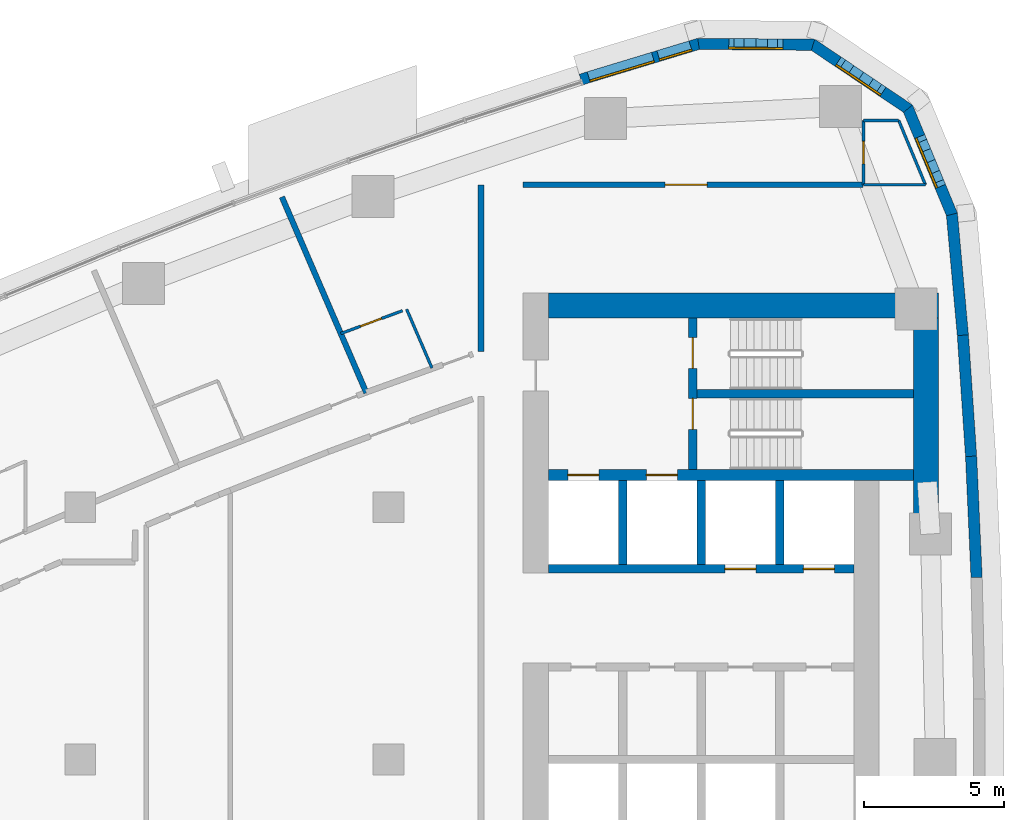
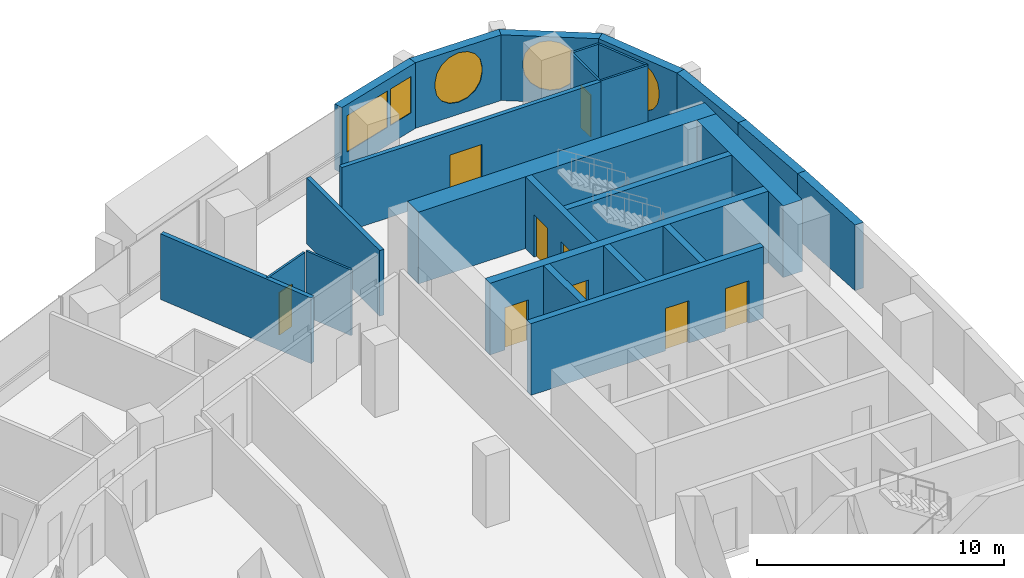
# One storey, part 12 of 17: 25 walls, 9 doors, 5 windows, 14 openings.
"""IFC4 building model written with IfcOpenShell, lengths in metres."""

import ifcopenshell
import ifcopenshell.guid

model = None  # the IFC model being written
_history = None  # IfcOwnerHistory: only IFC2X3 demands one
_inside = {}  # id of a spatial element -> (the spatial element, [elements in it])
_under = {}  # id of a project, library or spatial element -> (it, [spatial elements below it])
_declared = {}  # id of a project -> (the project, [libraries it declares])
_typed = {}  # id of a type object -> (the type object, [elements of that type])
_made_of = {}  # id of a material, layer set ... -> (it, [elements and type objects made of it])


def new_model(schema):
    """Start an empty IFC model of exactly this schema.

    Asked for "IFC4X3", IfcOpenShell would pick the latest addendum, in which some entities
    have other attributes; the version numbers below select the first issue.
    IFC2X3 requires an IfcOwnerHistory on every rooted entity: one is made here for all.
    """
    global model, _history
    if schema == "IFC4X3":
        model = ifcopenshell.file(schema_version=(4, 3, 0, 0))
    else:
        model = ifcopenshell.file(schema=schema)
    _inside.clear()
    _under.clear()
    _declared.clear()
    _typed.clear()
    _made_of.clear()
    _history = None
    if model.schema == "IFC2X3":
        org = make("IfcOrganization", Name="unknown")
        user = make(
            "IfcPersonAndOrganization",
            ThePerson=make("IfcPerson", FamilyName="unknown"),
            TheOrganization=org,
        )
        app = make(
            "IfcApplication",
            ApplicationDeveloper=org,
            Version="unknown",
            ApplicationFullName="unknown",
            ApplicationIdentifier="unknown",
        )
        _history = make(
            "IfcOwnerHistory",
            OwningUser=user,
            OwningApplication=app,
            ChangeAction="ADDED",
            CreationDate=0,
        )
    return model


def make(cls, **values):
    """One entity of the class cls with the attributes given. An attribute that is None is left unset."""
    return model.create_entity(
        cls, **{name: value for name, value in values.items() if value is not None}
    )


def rooted(cls, **values):
    """An entity with a GlobalId (a new one), such as an element, a storey or a relation."""
    return make(cls, GlobalId=ifcopenshell.guid.new(), OwnerHistory=_history, **values)


def si_unit(unit_type, name, prefix=None):
    """IfcSIUnit, for example si_unit("LENGTHUNIT", "METRE", prefix="MILLI")."""
    return make("IfcSIUnit", UnitType=unit_type, Prefix=prefix, Name=name)


def assignment(units):
    """IfcUnitAssignment: the units of a project."""
    return None if units is None else make("IfcUnitAssignment", Units=units)


def point(xyz):
    """IfcCartesianPoint."""
    return None if xyz is None else make("IfcCartesianPoint", Coordinates=xyz)


def direction(xyz):
    """IfcDirection."""
    return None if xyz is None else make("IfcDirection", DirectionRatios=xyz)


def frame(location, z_axis=None, x_axis=None):
    """IfcAxis2Placement3D, a coordinate frame: its origin and axes. An axis left out is left unset."""
    return make(
        "IfcAxis2Placement3D",
        Location=point(location),
        Axis=direction(z_axis),
        RefDirection=direction(x_axis),
    )


def frame_2d(location, x_axis=None):
    """IfcAxis2Placement2D, a coordinate frame in the plane: its origin and x axis."""
    return make(
        "IfcAxis2Placement2D", Location=point(location), RefDirection=direction(x_axis)
    )


def origin():
    """The frame at (0, 0, 0) with its axes left unset."""
    return frame((0.0, 0.0, 0.0))


def place(relative_to, where):
    """IfcLocalPlacement: puts the frame where relative to a parent placement (None: the world)."""
    return make(
        "IfcLocalPlacement", PlacementRelTo=relative_to, RelativePlacement=where
    )


def context(
    kind, dimensions, precision=None, world=None, true_north=None, identifier=None
):
    """IfcGeometricRepresentationContext, for example the 3D "Model" context."""
    return make(
        "IfcGeometricRepresentationContext",
        ContextIdentifier=identifier,
        ContextType=kind,
        CoordinateSpaceDimension=dimensions,
        Precision=precision,
        WorldCoordinateSystem=world,
        TrueNorth=true_north,
    )


def subcontext(parent, identifier, kind, view, scale=None):
    """IfcGeometricRepresentationSubContext, for example "Body" below "Model"."""
    return make(
        "IfcGeometricRepresentationSubContext",
        ContextIdentifier=identifier,
        ContextType=kind,
        ParentContext=parent,
        TargetScale=scale,
        TargetView=view,
    )


def project(units=None, contexts=None):
    """IfcProject with its units and contexts."""
    return rooted(
        "IfcProject",
        Name="project",
        RepresentationContexts=contexts,
        UnitsInContext=assignment(units),
    )


def spatial(cls, under=None, at=None, **own):
    """A site, building, storey or space (cls), placed at a placement, below another one or the project."""
    s = rooted(cls, ObjectPlacement=at, **own)
    if under is not None:
        _under.setdefault(under.id(), (under, []))[1].append(s)
    return s


def polyline(points):
    """IfcPolyline through the points."""
    return make("IfcPolyline", Points=[point(p) for p in points])


def profile(cls, at=None, kind="AREA", **sizes):
    """A parametric profile (cls). Its sizes go by their IFC names, for example OverallWidth=200.0."""
    return make(cls, ProfileType=kind, Position=at, **sizes)


def rectangle(**sizes):
    """IfcRectangleProfileDef."""
    return profile("IfcRectangleProfileDef", **sizes)


def outline(outer, holes=None, kind="AREA"):
    """IfcArbitraryClosedProfileDef: a profile drawn as a closed curve; with holes, ...WithVoids."""
    if holes is None:
        return make("IfcArbitraryClosedProfileDef", ProfileType=kind, OuterCurve=outer)
    return make(
        "IfcArbitraryProfileDefWithVoids",
        ProfileType=kind,
        OuterCurve=outer,
        InnerCurves=holes,
    )


def extrude(swept, where, along, depth):
    """IfcExtrudedAreaSolid: the profile swept, set in the frame where, extruded along a direction by depth."""
    return make(
        "IfcExtrudedAreaSolid",
        SweptArea=swept,
        Position=where,
        ExtrudedDirection=direction(along),
        Depth=depth,
    )


def shape(context_of_items, identifier, shape_type, items):
    """IfcShapeRepresentation: the items that make up one representation, for example the "Body"."""
    return make(
        "IfcShapeRepresentation",
        ContextOfItems=context_of_items,
        RepresentationIdentifier=identifier,
        RepresentationType=shape_type,
        Items=items,
    )


def material(Name=None, Category=None):
    """IfcMaterial."""
    return make("IfcMaterial", Name=Name, Category=Category)


def layer(
    of_material, thickness, ventilated=None, Name=None, Category=None, Priority=None
):
    """IfcMaterialLayer: one layer of a wall or slab, of a material (None: an air gap)."""
    return make(
        "IfcMaterialLayer",
        Material=of_material,
        LayerThickness=thickness,
        IsVentilated=ventilated,
        Name=Name,
        Category=Category,
        Priority=Priority,
    )


def layer_set(layers, Name=None):
    """IfcMaterialLayerSet."""
    return make("IfcMaterialLayerSet", MaterialLayers=layers, LayerSetName=Name)


def made_of(thing, what):
    """Note that an element or type object is made of a material, layer set ...; save() writes the relation."""
    if what is not None:
        _made_of.setdefault(what.id(), (what, []))[1].append(thing)
    return thing


def type_object(cls, material=None, **own):
    """A type object (cls), such as IfcWallType, which elements share."""
    return made_of(rooted(cls, **own), material)


def element(
    cls,
    number,
    at=None,
    inside=None,
    cuts=None,
    type_object=None,
    material=None,
    context=None,
    identifier="Body",
    shape_type=None,
    held_by="IfcProductDefinitionShape",
    body=None,
    shapes=None,
    **own,
):
    """One element of the class cls, such as IfcWall. Its Tag is "e" and its number.

    at: its placement. inside: the storey or other place that contains it. cuts: it is an
    opening in that element (IfcRelVoidsElement). A single representation is given by context,
    identifier, shape_type and body (its items); several are given by shapes. held_by: the class
    of the entity that holds the representations. save() writes the other relations.
    """
    e = rooted(cls, Tag="e%d" % number, ObjectPlacement=at, **own)
    if body is not None:
        shapes = [shape(context, identifier, shape_type, body)]
    if shapes is not None:
        e.Representation = make(held_by, Representations=shapes)
    if inside is not None:
        _inside.setdefault(inside.id(), (inside, []))[1].append(e)
    if cuts is not None:
        rooted(
            "IfcRelVoidsElement", RelatingBuildingElement=cuts, RelatedOpeningElement=e
        )
    if type_object is not None:
        _typed.setdefault(type_object.id(), (type_object, []))[1].append(e)
    return made_of(e, material)


def fill(opening, filler):
    """IfcRelFillsElement: the door or window that sits in an opening."""
    return rooted(
        "IfcRelFillsElement",
        RelatingOpeningElement=opening,
        RelatedBuildingElement=filler,
    )


def aggregate(whole, parts):
    """IfcRelAggregates: a whole, such as a stair, and the parts it consists of."""
    return rooted("IfcRelAggregates", RelatingObject=whole, RelatedObjects=parts)


def save(model, path):
    """Write the relations noted so far, then the file.

    IfcRelAggregates (storeys below a building ...), IfcRelContainedInSpatialStructure (elements
    in a storey), IfcRelDefinesByType, IfcRelAssociatesMaterial and IfcRelDeclares: one each for
    every whole, place, type object, material and project.
    """
    for whole, parts in _under.values():
        aggregate(whole, parts)
    for where, things in _inside.values():
        rooted(
            "IfcRelContainedInSpatialStructure",
            RelatedElements=things,
            RelatingStructure=where,
        )
    for kind, things in _typed.values():
        rooted("IfcRelDefinesByType", RelatedObjects=things, RelatingType=kind)
    for what, things in _made_of.values():
        rooted("IfcRelAssociatesMaterial", RelatedObjects=things, RelatingMaterial=what)
    for by, libraries in _declared.values():
        rooted("IfcRelDeclares", RelatingContext=by, RelatedDefinitions=libraries)
    model.write(path)


model = new_model("IFC4")

# Units and contexts
model_context = context("Model", 3, precision=1e-05, world=origin(), true_north=direction((0.0, 1.0)))
body_context = subcontext(model_context, "Body", "Model", "MODEL_VIEW")
ifc_project = project(units=[si_unit("LENGTHUNIT", "METRE"), si_unit("AREAUNIT", "SQUARE_METRE"), si_unit("VOLUMEUNIT", "CUBIC_METRE"), si_unit("PLANEANGLEUNIT", "RADIAN"), si_unit("MASSUNIT", "GRAM", prefix="KILO")], contexts=[model_context])

# Site, building, storey
site_placement = place(None, origin())
site = spatial("IfcSite", under=ifc_project, at=site_placement, CompositionType="ELEMENT")
building_placement = place(site_placement, origin())
building = spatial("IfcBuilding", under=site, at=building_placement, Name="Ostrand Prow Hotel Tower", CompositionType="ELEMENT")
storey_placement = place(building_placement, frame((0.0, 0.0, 144.39990234375)))
storey = spatial("IfcBuildingStorey", under=building, at=storey_placement, Name="L35", CompositionType="ELEMENT", Elevation=144.39990234375)

# Wall, openings, doors
ifc_material_1 = material(Name="Concrete C70/85", Category="concrete")
ifc_layer_1 = layer(ifc_material_1, 0.300048828125)
ifc_layer_set_1 = layer_set([ifc_layer_1], Name="Concrete C70/85")
wall_type_1 = type_object("IfcWallType", Name="Core wall 300 C70/85", PredefinedType="SHEAR", material=ifc_layer_set_1)
wall_1_placement = place(storey_placement, frame((50.699951171875, 6.800048828125, 0.0), z_axis=(0.0, 0.0, 1.0), x_axis=(1.0, 0.0, 0.0)))
wall_1 = element("IfcWall", 1, at=wall_1_placement, inside=storey, type_object=wall_type_1, Name="Core wall PW-L2-N", PredefinedType="SHEAR", context=body_context, shape_type="SweptSolid", body=[
    extrude(rectangle(XDim=10.900146484375, YDim=0.300048828125, at=frame_2d((5.4501953125, 0.0))), origin(), (0.0, 0.0, 1.0), 3.550048828125),
])
opening_1_placement = place(wall_1_placement, frame((6.300048828125, 0.0, 0.0)))
opening_1 = element("IfcOpeningElement", 2, at=opening_1_placement, cuts=wall_1, Name="Opening LD", PredefinedType="OPENING", context=body_context, shape_type="SweptSolid", body=[
    extrude(rectangle(XDim=1.10009765625, YDim=2.10009765625, at=frame_2d((0.550048828125, 1.050048828125))), frame((0.0, 0.159912109375, 0.0), z_axis=(0.0, -1.0, 0.0), x_axis=(1.0, 0.0, 0.0)), (0.0, 0.0, 1.0), 0.320068359375),
])
opening_2_placement = place(wall_1_placement, frame((9.10009765625, 0.0, 0.0)))
opening_2 = element("IfcOpeningElement", 3, at=opening_2_placement, cuts=wall_1, Name="Opening LD", PredefinedType="OPENING", context=body_context, shape_type="SweptSolid", body=[
    extrude(rectangle(XDim=1.10009765625, YDim=2.10009765625, at=frame_2d((0.550048828125, 1.050048828125))), frame((0.0, 0.159912109375, 0.0), z_axis=(0.0, -1.0, 0.0), x_axis=(1.0, 0.0, 0.0)), (0.0, 0.0, 1.0), 0.320068359375),
])
ifc_material_2 = material(Name="Stainless steel door", Category="steel")
door_type_1 = type_object("IfcDoorType", Name="Lift landing door 1100", OperationType="DOUBLE_DOOR_SLIDING", PredefinedType="DOOR", material=ifc_material_2)
door_1_placement = place(opening_1_placement, origin())
door_1 = element("IfcDoor", 4, at=door_1_placement, inside=storey, type_object=door_type_1, Name="LIFT LANDING DOOR", OperationType="DOUBLE_DOOR_SLIDING", OverallHeight=2.10009765625, OverallWidth=1.10009765625, PredefinedType="DOOR", context=body_context, shape_type="SweptSolid", body=[
    extrude(rectangle(XDim=1.10009765625, YDim=2.10009765625, at=frame_2d((0.550048828125, 1.050048828125))), frame((0.0, 0.02490234375, 0.0), z_axis=(0.0, -1.0, 0.0), x_axis=(1.0, 0.0, 0.0)), (0.0, 0.0, 1.0), 0.050048828125),
])
fill(opening_1, door_1)
door_2_placement = place(opening_2_placement, origin())
door_2 = element("IfcDoor", 5, at=door_2_placement, inside=storey, type_object=door_type_1, Name="LIFT LANDING DOOR", OperationType="DOUBLE_DOOR_SLIDING", OverallHeight=2.10009765625, OverallWidth=1.10009765625, PredefinedType="DOOR", context=body_context, shape_type="SweptSolid", body=[
    extrude(rectangle(XDim=1.10009765625, YDim=2.10009765625, at=frame_2d((0.550048828125, 1.050048828125))), frame((0.0, 0.02490234375, 0.0), z_axis=(0.0, -1.0, 0.0), x_axis=(1.0, 0.0, 0.0)), (0.0, 0.0, 1.0), 0.050048828125),
])
fill(opening_2, door_2)

# Walls
for number, where, z_axis, x_axis, name in (
    (6, (53.35009765625, 6.949951171875, 0.0), (0.0, 0.0, 1.0), (0.0, 1.0, 0.0), "Core wall PW-R1-NA"),
    (7, (56.14990234375, 6.949951171875, 0.0), (0.0, 0.0, 1.0), (0.0, 1.0, 0.0), "Core wall PW-R2-NA"),
    (8, (58.949951171875, 6.949951171875, 0.0), (0.0, 0.0, 1.0), (0.0, 1.0, 0.0), "Core wall PW-R3-NA"),
):
    element("IfcWall", number, at=place(storey_placement, frame(where, z_axis=z_axis, x_axis=x_axis)), inside=storey, type_object=wall_type_1, Name=name, PredefinedType="SHEAR", context=body_context, shape_type="SweptSolid", body=[
        extrude(rectangle(XDim=3.0, YDim=0.300048828125, at=frame_2d((1.5, 0.0))), origin(), (0.0, 0.0, 1.0), 3.550048828125),
    ])

# Wall, openings, doors
wall_2_placement = place(storey_placement, frame((55.85009765625, 10.35009765625, 0.0), z_axis=(0.0, 0.0, 1.0), x_axis=(0.0, 1.0, 0.0)))
wall_2 = element("IfcWall", 9, at=wall_2_placement, inside=storey, type_object=wall_type_1, Name="Core wall PW-VN", PredefinedType="SHEAR", context=body_context, shape_type="SweptSolid", body=[
    extrude(rectangle(XDim=5.39990234375, YDim=0.300048828125, at=frame_2d((2.699951171875, 0.0))), origin(), (0.0, 0.0, 1.0), 3.550048828125),
])
opening_3_placement = place(wall_2_placement, frame((1.429931640625, 0.0, 0.0)))
opening_3 = element("IfcOpeningElement", 10, at=opening_3_placement, cuts=wall_2, Name="Opening FD1", PredefinedType="OPENING", context=body_context, shape_type="SweptSolid", body=[
    extrude(rectangle(XDim=1.10009765625, YDim=2.10009765625, at=frame_2d((0.550048828125, 1.050048828125))), frame((0.0, 0.159912109375, 0.0), z_axis=(0.0, -1.0, 0.0), x_axis=(1.0, 0.0, 0.0)), (0.0, 0.0, 1.0), 0.320068359375),
])
opening_4_placement = place(wall_2_placement, frame((3.60009765625, 0.0, 0.0)))
opening_4 = element("IfcOpeningElement", 11, at=opening_4_placement, cuts=wall_2, Name="Opening FD1", PredefinedType="OPENING", context=body_context, shape_type="SweptSolid", body=[
    extrude(rectangle(XDim=1.10009765625, YDim=2.10009765625, at=frame_2d((0.550048828125, 1.050048828125))), frame((0.0, 0.159912109375, 0.0), z_axis=(0.0, -1.0, 0.0), x_axis=(1.0, 0.0, 0.0)), (0.0, 0.0, 1.0), 0.320068359375),
])
ifc_material_3 = material(Name="Steel fire door", Category="steel")
door_type_2 = type_object("IfcDoorType", Name="Fire door 1100 EI120", OperationType="SINGLE_SWING_RIGHT", PredefinedType="DOOR", material=ifc_material_3)
door_3_placement = place(opening_3_placement, origin())
door_3 = element("IfcDoor", 12, at=door_3_placement, inside=storey, type_object=door_type_2, Name="FIRE DOOR", OperationType="SINGLE_SWING_RIGHT", OverallHeight=2.10009765625, OverallWidth=1.10009765625, PredefinedType="DOOR", context=body_context, shape_type="SweptSolid", body=[
    extrude(rectangle(XDim=1.10009765625, YDim=2.10009765625, at=frame_2d((0.550048828125, 1.050048828125))), frame((0.0, 0.02490234375, 0.0), z_axis=(0.0, -1.0, 0.0), x_axis=(1.0, 0.0, 0.0)), (0.0, 0.0, 1.0), 0.050048828125),
])
fill(opening_3, door_3)
door_4_placement = place(opening_4_placement, origin())
door_4 = element("IfcDoor", 13, at=door_4_placement, inside=storey, type_object=door_type_2, Name="FIRE DOOR", OperationType="SINGLE_SWING_RIGHT", OverallHeight=2.10009765625, OverallWidth=1.10009765625, PredefinedType="DOOR", context=body_context, shape_type="SweptSolid", body=[
    extrude(rectangle(XDim=1.10009765625, YDim=2.10009765625, at=frame_2d((0.550048828125, 1.050048828125))), frame((0.0, 0.02490234375, 0.0), z_axis=(0.0, -1.0, 0.0), x_axis=(1.0, 0.0, 0.0)), (0.0, 0.0, 1.0), 0.050048828125),
])
fill(opening_4, door_4)

# Wall
wall_3_placement = place(storey_placement, frame((56.0, 13.050048828125, 0.0), z_axis=(0.0, 0.0, 1.0), x_axis=(1.0, 0.0, 0.0)))
element("IfcWall", 14, at=wall_3_placement, inside=storey, type_object=wall_type_1, Name="Core wall PW-ST13", PredefinedType="SHEAR", context=body_context, shape_type="SweptSolid", body=[
    extrude(rectangle(XDim=7.719970703125, YDim=0.300048828125, at=frame_2d((3.85986328125, 0.0))), origin(), (0.0, 0.0, 1.0), 3.550048828125),
])

# Wall, openings, doors
ifc_material_4 = material(Name="Concrete C70/85", Category="concrete")
ifc_layer_2 = layer(ifc_material_4, 0.39990234375)
ifc_layer_set_2 = layer_set([ifc_layer_2], Name="Concrete C70/85")
wall_type_2 = type_object("IfcWallType", Name="Core wall 400 C70/85", PredefinedType="SHEAR", material=ifc_layer_set_2)
wall_4_placement = place(storey_placement, frame((50.699951171875, 10.14990234375, 0.0), z_axis=(0.0, 0.0, 1.0), x_axis=(1.0, 0.0, 0.0)))
wall_4 = element("IfcWall", 15, at=wall_4_placement, inside=storey, type_object=wall_type_2, Name="Core wall PW-BN", PredefinedType="SHEAR", context=body_context, shape_type="SweptSolid", body=[
    extrude(rectangle(XDim=13.02001953125, YDim=0.39990234375, at=frame_2d((6.510009765625, 0.0))), origin(), (0.0, 0.0, 1.0), 3.550048828125),
])
opening_5_placement = place(wall_4_placement, frame((0.699951171875, 0.0, 0.0)))
opening_5 = element("IfcOpeningElement", 16, at=opening_5_placement, cuts=wall_4, Name="Opening LD", PredefinedType="OPENING", context=body_context, shape_type="SweptSolid", body=[
    extrude(rectangle(XDim=1.10009765625, YDim=2.10009765625, at=frame_2d((0.550048828125, 1.050048828125))), frame((0.0, 0.2099609375, 0.0), z_axis=(0.0, -1.0, 0.0), x_axis=(1.0, 0.0, 0.0)), (0.0, 0.0, 1.0), 0.419921875),
])
opening_6_placement = place(wall_4_placement, frame((3.5, 0.0, 0.0)))
opening_6 = element("IfcOpeningElement", 17, at=opening_6_placement, cuts=wall_4, Name="Opening LD", PredefinedType="OPENING", context=body_context, shape_type="SweptSolid", body=[
    extrude(rectangle(XDim=1.10009765625, YDim=2.10009765625, at=frame_2d((0.550048828125, 1.050048828125))), frame((0.0, 0.2099609375, 0.0), z_axis=(0.0, -1.0, 0.0), x_axis=(1.0, 0.0, 0.0)), (0.0, 0.0, 1.0), 0.419921875),
])
door_5_placement = place(opening_5_placement, origin())
door_5 = element("IfcDoor", 18, at=door_5_placement, inside=storey, type_object=door_type_1, Name="LIFT LANDING DOOR", OperationType="DOUBLE_DOOR_SLIDING", OverallHeight=2.10009765625, OverallWidth=1.10009765625, PredefinedType="DOOR", context=body_context, shape_type="SweptSolid", body=[
    extrude(rectangle(XDim=1.10009765625, YDim=2.10009765625, at=frame_2d((0.550048828125, 1.050048828125))), frame((0.0, 0.02490234375, 0.0), z_axis=(0.0, -1.0, 0.0), x_axis=(1.0, 0.0, 0.0)), (0.0, 0.0, 1.0), 0.050048828125),
])
fill(opening_5, door_5)
door_6_placement = place(opening_6_placement, origin())
door_6 = element("IfcDoor", 19, at=door_6_placement, inside=storey, type_object=door_type_1, Name="LIFT LANDING DOOR", OperationType="DOUBLE_DOOR_SLIDING", OverallHeight=2.10009765625, OverallWidth=1.10009765625, PredefinedType="DOOR", context=body_context, shape_type="SweptSolid", body=[
    extrude(rectangle(XDim=1.10009765625, YDim=2.10009765625, at=frame_2d((0.550048828125, 1.050048828125))), frame((0.0, 0.02490234375, 0.0), z_axis=(0.0, -1.0, 0.0), x_axis=(1.0, 0.0, 0.0)), (0.0, 0.0, 1.0), 0.050048828125),
])
fill(opening_6, door_6)

# Walls
ifc_material_5 = material(Name="Concrete C70/85", Category="concrete")
ifc_layer_3 = layer(ifc_material_5, 0.89990234375)
ifc_layer_set_3 = layer_set([ifc_layer_3], Name="Concrete C70/85")
wall_type_3 = type_object("IfcWallType", Name="Core wall 900 C70/85", PredefinedType="SHEAR", material=ifc_layer_set_3)
wall_5_placement = place(storey_placement, frame((50.699951171875, 16.199951171875, 0.0), z_axis=(0.0, 0.0, 1.0), x_axis=(1.0, 0.0, 0.0)))
element("IfcWall", 20, at=wall_5_placement, inside=storey, type_object=wall_type_3, Name="Core wall CW-N", PredefinedType="SHEAR", context=body_context, shape_type="SweptSolid", body=[
    extrude(rectangle(XDim=13.920166015625, YDim=0.89990234375, at=frame_2d((6.9599609375, 0.0))), origin(), (0.0, 0.0, 1.0), 3.550048828125),
])
wall_6_placement = place(storey_placement, frame((64.169921875, 8.74462890625, 0.0), z_axis=(0.0, 0.0, 1.0), x_axis=(0.0, 1.0, 0.0)))
element("IfcWall", 21, at=wall_6_placement, inside=storey, type_object=wall_type_3, Name="Core wall CW-E-N", PredefinedType="SHEAR", context=body_context, shape_type="SweptSolid", body=[
    extrude(rectangle(XDim=7.00537109375, YDim=0.89990234375, at=frame_2d((3.502685546875, 0.0))), origin(), (0.0, 0.0, 1.0), 3.550048828125),
])

# Wall, opening, door
ifc_material_6 = material(Name="Plasterboard partition")
ifc_layer_4 = layer(ifc_material_6, 0.10009765625)
ifc_layer_set_4 = layer_set([ifc_layer_4], Name="Plasterboard partition")
wall_type_4 = type_object("IfcWallType", Name="Partition 100 bathroom wall", PredefinedType="PARTITIONING", material=ifc_layer_set_4)
wall_7_placement = place(storey_placement, frame((61.9375, 20.5, 0.0), z_axis=(0.0, 0.0, 1.0), x_axis=(0.0, 1.0, 0.0)))
wall_7 = element("IfcWall", 22, at=wall_7_placement, inside=storey, type_object=wall_type_4, Name="BATHROOM WALL", PredefinedType="PARTITIONING", context=body_context, shape_type="SweptSolid", body=[
    extrude(rectangle(XDim=2.300048828125, YDim=0.10009765625, at=frame_2d((1.14990234375, 0.0))), origin(), (0.0, 0.0, 1.0), 3.25),
])
opening_7_placement = place(wall_7_placement, frame((0.75, 0.0, 0.0)))
opening_7 = element("IfcOpeningElement", 23, at=opening_7_placement, cuts=wall_7, Name="Opening D2", PredefinedType="OPENING", context=body_context, shape_type="SweptSolid", body=[
    extrude(rectangle(XDim=0.800048828125, YDim=2.10009765625, at=frame_2d((0.39990234375, 1.050048828125))), frame((0.0, 0.06005859375, 0.0), z_axis=(0.0, -1.0, 0.0), x_axis=(1.0, 0.0, 0.0)), (0.0, 0.0, 1.0), 0.1201171875),
])
ifc_material_7 = material(Name="Timber door leaf", Category="wood")
door_type_3 = type_object("IfcDoorType", Name="Bathroom door 800", OperationType="SINGLE_SWING_LEFT", PredefinedType="DOOR", material=ifc_material_7)
door_7_placement = place(opening_7_placement, origin())
door_7 = element("IfcDoor", 24, at=door_7_placement, inside=storey, type_object=door_type_3, Name="DOOR", OperationType="SINGLE_SWING_LEFT", OverallHeight=2.10009765625, OverallWidth=0.800048828125, PredefinedType="DOOR", context=body_context, shape_type="SweptSolid", body=[
    extrude(rectangle(XDim=0.800048828125, YDim=2.10009765625, at=frame_2d((0.39990234375, 1.050048828125))), frame((0.0, 0.02490234375, 0.0), z_axis=(0.0, -1.0, 0.0), x_axis=(1.0, 0.0, 0.0)), (0.0, 0.0, 1.0), 0.050048828125),
])
fill(opening_7, door_7)

# Wall
wall_8_placement = place(storey_placement, frame((61.9375, 22.800048828125, 0.0), z_axis=(0.0, 0.0, 1.0), x_axis=(1.0, 0.0, 0.0)))
element("IfcWall", 25, at=wall_8_placement, inside=storey, type_object=wall_type_4, Name="BATHROOM WALL", PredefinedType="PARTITIONING", context=body_context, shape_type="SweptSolid", body=[
    extrude(rectangle(XDim=1.2607421875, YDim=0.10009765625, at=frame_2d((0.63037109375, 0.0))), origin(), (0.0, 0.0, 1.0), 3.25),
])

# Wall, opening, door
wall_9_placement = place(storey_placement, frame((43.295166015625, 15.195068359375, 0.0), z_axis=(0.0, 0.0, 1.0), x_axis=(0.937739981943, 0.347338057613, 0.0)))
wall_9 = element("IfcWall", 26, at=wall_9_placement, inside=storey, type_object=wall_type_4, Name="BATHROOM WALL", PredefinedType="PARTITIONING", context=body_context, shape_type="SweptSolid", body=[
    extrude(rectangle(XDim=2.348388671875, YDim=0.10009765625, at=frame_2d((1.17431640625, 0.0))), origin(), (0.0, 0.0, 1.0), 3.25),
])
opening_8_placement = place(wall_9_placement, frame((0.75, 0.0, 0.0)))
opening_8 = element("IfcOpeningElement", 27, at=opening_8_placement, cuts=wall_9, Name="Opening D2", PredefinedType="OPENING", context=body_context, shape_type="SweptSolid", body=[
    extrude(rectangle(XDim=0.800048828125, YDim=2.10009765625, at=frame_2d((0.39990234375, 1.050048828125))), frame((0.0, 0.06005859375, 0.0), z_axis=(0.0, -1.0, 0.0), x_axis=(1.0, 0.0, 0.0)), (0.0, 0.0, 1.0), 0.1201171875),
])
door_8_placement = place(opening_8_placement, origin())
door_8 = element("IfcDoor", 28, at=door_8_placement, inside=storey, type_object=door_type_3, Name="DOOR", OperationType="SINGLE_SWING_LEFT", OverallHeight=2.10009765625, OverallWidth=0.800048828125, PredefinedType="DOOR", context=body_context, shape_type="SweptSolid", body=[
    extrude(rectangle(XDim=0.800048828125, YDim=2.10009765625, at=frame_2d((0.39990234375, 1.050048828125))), frame((0.0, 0.02490234375, 0.0), z_axis=(0.0, -1.0, 0.0), x_axis=(1.0, 0.0, 0.0)), (0.0, 0.0, 1.0), 0.050048828125),
])
fill(opening_8, door_8)

# Walls
wall_10_placement = place(storey_placement, frame((45.643798828125, 16.061767578125, 0.0), z_axis=(0.0, 0.0, 1.0), x_axis=(0.395944391694, -0.918274489837, 0.0)))
element("IfcWall", 29, at=wall_10_placement, inside=storey, type_object=wall_type_4, Name="BATHROOM WALL", PredefinedType="PARTITIONING", context=body_context, shape_type="SweptSolid", body=[
    extrude(rectangle(XDim=2.283203125, YDim=0.10009765625, at=frame_2d((1.1416015625, 0.0))), origin(), (0.0, 0.0, 1.0), 3.25),
])
wall_11_placement = place(storey_placement, frame((63.1982421875, 22.800048828125, 0.0), z_axis=(0.0, 0.0, 1.0), x_axis=(0.383855043906, -0.923393364319, 0.0)))
element("IfcWall", 30, at=wall_11_placement, inside=storey, type_object=wall_type_4, Name="BATHROOM WALL", PredefinedType="PARTITIONING", context=body_context, shape_type="SweptSolid", body=[
    extrude(rectangle(XDim=2.485595703125, YDim=0.10009765625, at=frame_2d((1.24267578125, 0.0))), origin(), (0.0, 0.0, 1.0), 3.25),
])
wall_12_placement = place(storey_placement, frame((64.15234375, 20.5048828125, 0.0), z_axis=(0.0, 0.0, 1.0), x_axis=(-1.0, 0.0, 0.0)))
element("IfcWall", 31, at=wall_12_placement, inside=storey, type_object=wall_type_4, Name="BATHROOM WALL", PredefinedType="PARTITIONING", context=body_context, shape_type="SweptSolid", body=[
    extrude(rectangle(XDim=2.21484375, YDim=0.10009765625, at=frame_2d((1.107421875, 0.0))), origin(), (0.0, 0.0, 1.0), 3.25),
])

# Wall, opening, door
ifc_material_8 = material(Name="Plasterboard partition")
ifc_layer_5 = layer(ifc_material_8, 0.199951171875)
ifc_layer_set_5 = layer_set([ifc_layer_5], Name="Plasterboard partition")
wall_type_5 = type_object("IfcWallType", Name="Partition 200 corridor wall", PredefinedType="PARTITIONING", material=ifc_layer_set_5)
wall_13_placement = place(storey_placement, frame((61.9326171875, 20.5048828125, 0.0), z_axis=(0.0, 0.0, 1.0), x_axis=(-1.0, 0.0, 0.0)))
wall_13 = element("IfcWall", 32, at=wall_13_placement, inside=storey, type_object=wall_type_5, Name="CORRIDOR WALL", PredefinedType="PARTITIONING", context=body_context, shape_type="SweptSolid", body=[
    extrude(rectangle(XDim=12.132568359375, YDim=0.199951171875, at=frame_2d((6.06640625, 0.0))), origin(), (0.0, 0.0, 1.0), 3.25),
])
opening_9_placement = place(wall_13_placement, frame((5.56640625, 0.0, 0.0)))
opening_9 = element("IfcOpeningElement", 33, at=opening_9_placement, cuts=wall_13, Name="Opening D15", PredefinedType="OPENING", context=body_context, shape_type="SweptSolid", body=[
    extrude(rectangle(XDim=1.5, YDim=2.10009765625, at=frame_2d((0.75, 1.050048828125))), frame((0.0, 0.10986328125, 0.0), z_axis=(0.0, -1.0, 0.0), x_axis=(1.0, 0.0, 0.0)), (0.0, 0.0, 1.0), 0.219970703125),
])
ifc_material_9 = material(Name="Timber door leaf", Category="wood")
door_type_4 = type_object("IfcDoorType", Name="Double door 1500", OperationType="DOUBLE_DOOR_SINGLE_SWING", PredefinedType="DOOR", material=ifc_material_9)
door_9_placement = place(opening_9_placement, origin())
door_9 = element("IfcDoor", 34, at=door_9_placement, inside=storey, type_object=door_type_4, Name="DOOR", OperationType="DOUBLE_DOOR_SINGLE_SWING", OverallHeight=2.10009765625, OverallWidth=1.5, PredefinedType="DOOR", context=body_context, shape_type="SweptSolid", body=[
    extrude(rectangle(XDim=1.5, YDim=2.10009765625, at=frame_2d((0.75, 1.050048828125))), frame((0.0, 0.02490234375, 0.0), z_axis=(0.0, -1.0, 0.0), x_axis=(1.0, 0.0, 0.0)), (0.0, 0.0, 1.0), 0.050048828125),
])
fill(opening_9, door_9)

# Walls
wall_14_placement = place(storey_placement, frame((48.295166015625, 20.5009765625, 0.0), z_axis=(0.0, 0.0, 1.0), x_axis=(-4.1050903e-05, -0.999999999157, 0.0)))
element("IfcWall", 35, at=wall_14_placement, inside=storey, type_object=wall_type_5, Name="CORRIDOR WALL", PredefinedType="PARTITIONING", context=body_context, shape_type="SweptSolid", body=[
    extrude(rectangle(XDim=5.947265625, YDim=0.199951171875, at=frame_2d((2.9736328125, 0.0))), origin(), (0.0, 0.0, 1.0), 3.25),
])
ifc_material_10 = material(Name="Plasterboard partition")
ifc_layer_6 = layer(ifc_material_10, 0.199951171875)
ifc_layer_set_6 = layer_set([ifc_layer_6], Name="Plasterboard partition")
wall_type_6 = type_object("IfcWallType", Name="Partition 200 key partition", PredefinedType="PARTITIONING", material=ifc_layer_set_6)
wall_15_placement = place(storey_placement, frame((44.20703125, 13.080078125, 0.0), z_axis=(0.0, 0.0, 1.0), x_axis=(-0.395981863621, 0.918258331671, 0.0)))
element("IfcWall", 36, at=wall_15_placement, inside=storey, type_object=wall_type_6, Name="KEY PARTITION", PredefinedType="PARTITIONING", context=body_context, shape_type="SweptSolid", body=[
    extrude(rectangle(XDim=7.610595703125, YDim=0.199951171875, at=frame_2d((3.80517578125, 0.0))), origin(), (0.0, 0.0, 1.0), 3.25),
])
ifc_material_11 = material(Name="Precast concrete C40/50", Category="concrete")
ifc_layer_7 = layer(ifc_material_11, 0.39990234375)
ifc_layer_set_7 = layer_set([ifc_layer_7], Name="Precast concrete C40/50")
wall_type_7 = type_object("IfcWallType", Name="Stone-faced precast wall 400 mm", PredefinedType="NOTDEFINED", material=ifc_layer_set_7)
for number, where, z_axis, x_axis, name in (
    (37, (65.977783203125, 6.4921875, 0.0), (0.0, 0.0, 1.0), (-0.045228592312, 0.99897666361, 0.0), "Stone-faced wall back 11"),
    (38, (65.781982421875, 10.81689453125, 0.0), (0.0, 0.0, 1.0), (-0.067731727279, 0.997703569764, 0.0), "Stone-faced wall back 12"),
):
    element("IfcWall", number, at=place(storey_placement, frame(where, z_axis=z_axis, x_axis=x_axis)), inside=storey, type_object=wall_type_7, Name=name, PredefinedType="NOTDEFINED", context=body_context, shape_type="SweptSolid", body=[
        extrude(outline(polyline([(-0.002197265625, -0.199951171875), (4.331298828125, -0.199951171875), (4.326904296875, 0.199951171875), (0.002197265625, 0.199951171875), (-0.002197265625, -0.199951171875)])), origin(), (0.0, 0.0, 1.0), 3.25),
    ])
wall_16_placement = place(storey_placement, frame((65.48876953125, 15.135986328125, 0.0), z_axis=(0.0, 0.0, 1.0), x_axis=(-0.090296735989, 0.995914905737, 0.0)))
element("IfcWall", 39, at=wall_16_placement, inside=storey, type_object=wall_type_7, Name="Stone-faced wall back 13", PredefinedType="NOTDEFINED", context=body_context, shape_type="SweptSolid", body=[
    extrude(outline(polyline([(-0.002197265625, -0.199951171875), (4.359130859375, -0.199951171875), (4.298095703125, 0.199951171875), (0.002197265625, 0.199951171875), (-0.002197265625, -0.199951171875)])), origin(), (0.0, 0.0, 1.0), 3.25),
])

# Wall, opening, window
wall_17_placement = place(storey_placement, frame((65.097900390625, 19.447021484375, 0.0), z_axis=(0.0, 0.0, 1.0), x_axis=(-0.383817293519, 0.923409056267, 0.0)))
wall_17 = element("IfcWall", 40, at=wall_17_placement, inside=storey, type_object=wall_type_7, Name="Stone-faced wall back 14", PredefinedType="NOTDEFINED", context=body_context, shape_type="SweptSolid", body=[
    extrude(outline(polyline([(-0.030517578125, -0.199951171875), (4.14453125, -0.199951171875), (4.02392578125, 0.199951171875), (0.030517578125, 0.199951171875), (-0.030517578125, -0.199951171875)])), origin(), (0.0, 0.0, 1.0), 3.25),
])
opening_10_placement = place(wall_17_placement, frame((0.94189453125, 0.0, 0.60009765625)))
opening_10 = element("IfcOpeningElement", 41, at=opening_10_placement, cuts=wall_17, Name="Opening WP1", PredefinedType="OPENING", context=body_context, shape_type="SweptSolid", body=[
    extrude(outline(polyline([(0.0, 1.35009765625), (0.083740234375, 1.77099609375), (0.322265625, 2.127685546875), (0.678955078125, 2.3662109375), (1.10009765625, 2.449951171875), (1.52099609375, 2.3662109375), (1.877685546875, 2.127685546875), (2.1162109375, 1.77099609375), (2.199951171875, 1.35009765625), (2.199951171875, 1.10009765625), (2.1162109375, 0.678955078125), (1.877685546875, 0.322265625), (1.52099609375, 0.083740234375), (1.10009765625, 0.0), (0.678955078125, 0.083740234375), (0.322265625, 0.322265625), (0.083740234375, 0.678955078125), (0.0, 1.099853515625), (0.0, 1.35009765625)])), frame((0.0, 0.2099609375, 0.0), z_axis=(0.0, -1.0, 0.0), x_axis=(1.0, 0.0, 0.0)), (0.0, 0.0, 1.0), 0.419921875),
])
ifc_material_12 = material(Name="Insulated glass in bronze frame", Category="glass")
window_type_1 = type_object("IfcWindowType", Name="Round-ended prow window 2200x2450", PartitioningType="SINGLE_PANEL", PredefinedType="WINDOW", material=ifc_material_12)
window_1_placement = place(opening_10_placement, origin())
window_1 = element("IfcWindow", 42, at=window_1_placement, inside=storey, type_object=window_type_1, Name="Window back 14.1", OverallHeight=2.449951171875, OverallWidth=2.199951171875, PartitioningType="SINGLE_PANEL", PredefinedType="WINDOW", context=body_context, shape_type="SweptSolid", body=[
    extrude(outline(polyline([(0.0, 1.35009765625), (0.083740234375, 1.77099609375), (0.322265625, 2.127685546875), (0.678955078125, 2.3662109375), (1.10009765625, 2.449951171875), (1.52099609375, 2.3662109375), (1.877685546875, 2.127685546875), (2.1162109375, 1.77099609375), (2.199951171875, 1.35009765625), (2.199951171875, 1.10009765625), (2.1162109375, 0.678955078125), (1.877685546875, 0.322265625), (1.52099609375, 0.083740234375), (1.10009765625, 0.0), (0.678955078125, 0.083740234375), (0.322265625, 0.322265625), (0.083740234375, 0.678955078125), (0.0, 1.099853515625), (0.0, 1.35009765625)])), frame((0.0, 0.169921875, 0.0), z_axis=(0.0, -1.0, 0.0), x_axis=(1.0, 0.0, 0.0)), (0.0, 0.0, 1.0), 0.06005859375),
])
fill(opening_10, window_1)

wall_18_placement = place(storey_placement, frame((63.5302734375, 23.218505859375, 0.0), z_axis=(0.0, 0.0, 1.0), x_axis=(-0.829642062482, 0.558295663749, 0.0)))
wall_18 = element("IfcWall", 43, at=wall_18_placement, inside=storey, type_object=wall_type_7, Name="Stone-faced wall back 15", PredefinedType="NOTDEFINED", context=body_context, shape_type="SweptSolid", body=[
    extrude(outline(polyline([(-0.060302734375, -0.199951171875), (4.144287109375, -0.199951171875), (4.023681640625, 0.199951171875), (0.060302734375, 0.199951171875), (-0.060302734375, -0.199951171875)])), origin(), (0.0, 0.0, 1.0), 3.25),
])
opening_11_placement = place(wall_18_placement, frame((0.94189453125, 0.0, 0.60009765625)))
opening_11 = element("IfcOpeningElement", 44, at=opening_11_placement, cuts=wall_18, Name="Opening WP1", PredefinedType="OPENING", context=body_context, shape_type="SweptSolid", body=[
    extrude(outline(polyline([(0.0, 1.35009765625), (0.083740234375, 1.77099609375), (0.322265625, 2.127685546875), (0.678955078125, 2.3662109375), (1.10009765625, 2.449951171875), (1.52099609375, 2.3662109375), (1.877685546875, 2.127685546875), (2.1162109375, 1.77099609375), (2.199951171875, 1.35009765625), (2.199951171875, 1.10009765625), (2.1162109375, 0.678955078125), (1.877685546875, 0.322265625), (1.52099609375, 0.083740234375), (1.10009765625, 0.0), (0.678955078125, 0.083740234375), (0.322265625, 0.322265625), (0.083740234375, 0.678955078125), (0.0, 1.099853515625), (0.0, 1.35009765625)])), frame((0.0, 0.2099609375, 0.0), z_axis=(0.0, -1.0, 0.0), x_axis=(1.0, 0.0, 0.0)), (0.0, 0.0, 1.0), 0.419921875),
])
window_2_placement = place(opening_11_placement, origin())
window_2 = element("IfcWindow", 45, at=window_2_placement, inside=storey, type_object=window_type_1, Name="Window back 15.1", OverallHeight=2.449951171875, OverallWidth=2.199951171875, PartitioningType="SINGLE_PANEL", PredefinedType="WINDOW", context=body_context, shape_type="SweptSolid", body=[
    extrude(outline(polyline([(0.0, 1.35009765625), (0.083740234375, 1.77099609375), (0.322265625, 2.127685546875), (0.678955078125, 2.3662109375), (1.10009765625, 2.449951171875), (1.52099609375, 2.3662109375), (1.877685546875, 2.127685546875), (2.1162109375, 1.77099609375), (2.199951171875, 1.35009765625), (2.199951171875, 1.10009765625), (2.1162109375, 0.678955078125), (1.877685546875, 0.322265625), (1.52099609375, 0.083740234375), (1.10009765625, 0.0), (0.678955078125, 0.083740234375), (0.322265625, 0.322265625), (0.083740234375, 0.678955078125), (0.0, 1.099853515625), (0.0, 1.35009765625)])), frame((0.0, 0.169921875, 0.0), z_axis=(0.0, -1.0, 0.0), x_axis=(1.0, 0.0, 0.0)), (0.0, 0.0, 1.0), 0.06005859375),
])
fill(opening_11, window_2)

wall_19_placement = place(storey_placement, frame((60.14208984375, 25.49853515625, 0.0), z_axis=(0.0, 0.0, 1.0), x_axis=(-0.99996933771, 0.007830941131, 0.0)))
wall_19 = element("IfcWall", 46, at=wall_19_placement, inside=storey, type_object=wall_type_7, Name="Stone-faced wall back 16", PredefinedType="NOTDEFINED", context=body_context, shape_type="SweptSolid", body=[
    extrude(outline(polyline([(-0.060302734375, -0.199951171875), (4.11474609375, -0.199951171875), (4.0537109375, 0.199951171875), (0.060302734375, 0.199951171875), (-0.060302734375, -0.199951171875)])), origin(), (0.0, 0.0, 1.0), 3.25),
])
opening_12_placement = place(wall_19_placement, frame((0.94189453125, 0.0, 0.60009765625)))
opening_12 = element("IfcOpeningElement", 47, at=opening_12_placement, cuts=wall_19, Name="Opening WP1", PredefinedType="OPENING", context=body_context, shape_type="SweptSolid", body=[
    extrude(outline(polyline([(0.0, 1.35009765625), (0.083740234375, 1.77099609375), (0.322265625, 2.127685546875), (0.678955078125, 2.3662109375), (1.10009765625, 2.449951171875), (1.52099609375, 2.3662109375), (1.877685546875, 2.127685546875), (2.1162109375, 1.77099609375), (2.199951171875, 1.35009765625), (2.199951171875, 1.10009765625), (2.1162109375, 0.678955078125), (1.877685546875, 0.322265625), (1.52099609375, 0.083740234375), (1.10009765625, 0.0), (0.678955078125, 0.083740234375), (0.322265625, 0.322265625), (0.083740234375, 0.678955078125), (0.0, 1.099853515625), (0.0, 1.35009765625)])), frame((0.0, 0.2099609375, 0.0), z_axis=(0.0, -1.0, 0.0), x_axis=(1.0, 0.0, 0.0)), (0.0, 0.0, 1.0), 0.419921875),
])
window_3_placement = place(opening_12_placement, origin())
window_3 = element("IfcWindow", 48, at=window_3_placement, inside=storey, type_object=window_type_1, Name="Window back 16.1", OverallHeight=2.449951171875, OverallWidth=2.199951171875, PartitioningType="SINGLE_PANEL", PredefinedType="WINDOW", context=body_context, shape_type="SweptSolid", body=[
    extrude(outline(polyline([(0.0, 1.35009765625), (0.083740234375, 1.77099609375), (0.322265625, 2.127685546875), (0.678955078125, 2.3662109375), (1.10009765625, 2.449951171875), (1.52099609375, 2.3662109375), (1.877685546875, 2.127685546875), (2.1162109375, 1.77099609375), (2.199951171875, 1.35009765625), (2.199951171875, 1.10009765625), (2.1162109375, 0.678955078125), (1.877685546875, 0.322265625), (1.52099609375, 0.083740234375), (1.10009765625, 0.0), (0.678955078125, 0.083740234375), (0.322265625, 0.322265625), (0.083740234375, 0.678955078125), (0.0, 1.099853515625), (0.0, 1.35009765625)])), frame((0.0, 0.169921875, 0.0), z_axis=(0.0, -1.0, 0.0), x_axis=(1.0, 0.0, 0.0)), (0.0, 0.0, 1.0), 0.06005859375),
])
fill(opening_12, window_3)

# Wall, openings, windows
wall_20_placement = place(storey_placement, frame((56.05810546875, 25.530517578125, 0.0), z_axis=(0.0, 0.0, 1.0), x_axis=(-0.956964488344, -0.290205044837, 0.0)))
wall_20 = element("IfcWall", 49, at=wall_20_placement, inside=storey, type_object=wall_type_7, Name="Stone-faced wall back 17", PredefinedType="NOTDEFINED", context=body_context, shape_type="SweptSolid", body=[
    extrude(outline(polyline([(-0.030517578125, -0.199951171875), (4.387939453125, -0.199951171875), (4.387939453125, 0.199951171875), (0.030517578125, 0.199951171875), (-0.030517578125, -0.199951171875)])), origin(), (0.0, 0.0, 1.0), 3.25),
])
opening_13_placement = place(wall_20_placement, frame((0.2939453125, 0.0, 0.89990234375)))
opening_13 = element("IfcOpeningElement", 50, at=opening_13_placement, cuts=wall_20, Name="Opening WS4", PredefinedType="OPENING", context=body_context, shape_type="SweptSolid", body=[
    extrude(rectangle(XDim=1.199951171875, YDim=1.800048828125, at=frame_2d((0.60009765625, 0.89990234375))), frame((0.0, 0.2099609375, 0.0), z_axis=(0.0, -1.0, 0.0), x_axis=(1.0, 0.0, 0.0)), (0.0, 0.0, 1.0), 0.419921875),
])
opening_14_placement = place(wall_20_placement, frame((1.694091796875, 0.0, 0.89990234375)))
opening_14 = element("IfcOpeningElement", 51, at=opening_14_placement, cuts=wall_20, Name="Opening WS5-24", PredefinedType="OPENING", context=body_context, shape_type="SweptSolid", body=[
    extrude(rectangle(XDim=2.39990234375, YDim=1.800048828125, at=frame_2d((1.199951171875, 0.89990234375))), frame((0.0, 0.2099609375, 0.0), z_axis=(0.0, -1.0, 0.0), x_axis=(1.0, 0.0, 0.0)), (0.0, 0.0, 1.0), 0.419921875),
])
ifc_material_13 = material(Name="Insulated glass in bronze frame", Category="glass")
window_type_2 = type_object("IfcWindowType", Name="Fixed strip window 2400x1800", PartitioningType="SINGLE_PANEL", PredefinedType="WINDOW", material=ifc_material_13)
window_4_placement = place(opening_14_placement, origin())
window_4 = element("IfcWindow", 52, at=window_4_placement, inside=storey, type_object=window_type_2, Name="Window back 17.2", OverallHeight=1.800048828125, OverallWidth=2.39990234375, PartitioningType="SINGLE_PANEL", PredefinedType="WINDOW", context=body_context, shape_type="SweptSolid", body=[
    extrude(rectangle(XDim=2.39990234375, YDim=1.800048828125, at=frame_2d((1.199951171875, 0.89990234375))), frame((0.0, 0.169921875, 0.0), z_axis=(0.0, -1.0, 0.0), x_axis=(1.0, 0.0, 0.0)), (0.0, 0.0, 1.0), 0.06005859375),
])
fill(opening_14, window_4)
ifc_material_14 = material(Name="Insulated glass in bronze frame", Category="glass")
window_type_3 = type_object("IfcWindowType", Name="Operable strip panel 1200x1800", PartitioningType="SINGLE_PANEL", PredefinedType="WINDOW", material=ifc_material_14)
window_5_placement = place(opening_13_placement, origin())
window_5 = element("IfcWindow", 53, at=window_5_placement, inside=storey, type_object=window_type_3, Name="Window back 17.1", OverallHeight=1.800048828125, OverallWidth=1.199951171875, PartitioningType="SINGLE_PANEL", PredefinedType="WINDOW", context=body_context, shape_type="SweptSolid", body=[
    extrude(rectangle(XDim=1.199951171875, YDim=1.800048828125, at=frame_2d((0.60009765625, 0.89990234375))), frame((0.0, 0.169921875, 0.0), z_axis=(0.0, -1.0, 0.0), x_axis=(1.0, 0.0, 0.0)), (0.0, 0.0, 1.0), 0.06005859375),
])
fill(opening_13, window_5)

save(model, "model.ifc")
